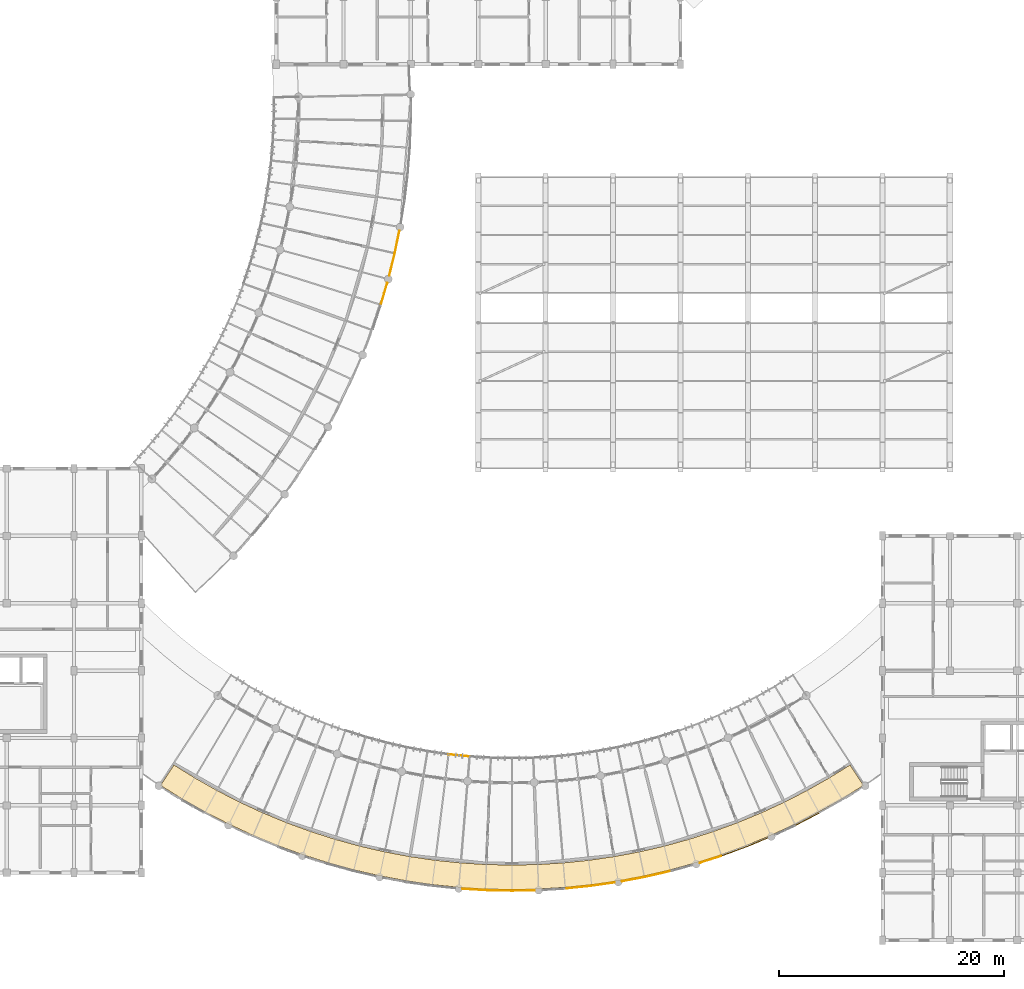
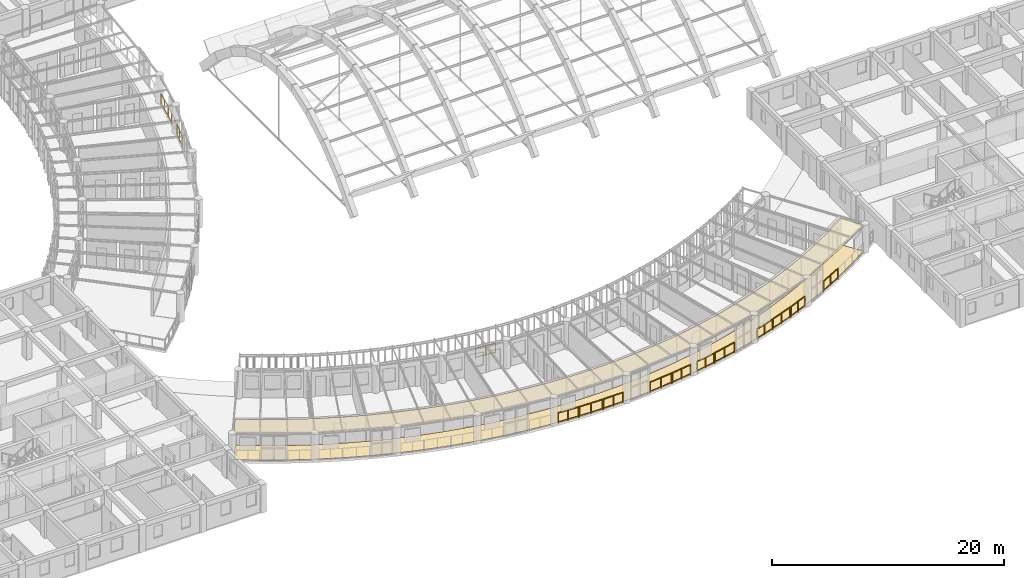
# One storey, part 112 of 123: 15 railings, 2 coverings.
"""IFC4 building model written with IfcOpenShell, lengths in metres."""

from ifc_helpers import new_model, si_unit, direction, frame, origin, origin_2d, place, context, subcontext, project, spatial, polyline, circle, outline, extrude, material, layer, layer_set, type_object, element, save


model = new_model("IFC4")

# Units and contexts
model_context = context("Model", 3, precision=1e-05, world=origin(), true_north=direction((0.0, 1.0)))
body_context = subcontext(model_context, "Body", "Model", "MODEL_VIEW")
ifc_project = project(units=[si_unit("LENGTHUNIT", "METRE"), si_unit("AREAUNIT", "SQUARE_METRE"), si_unit("VOLUMEUNIT", "CUBIC_METRE"), si_unit("PLANEANGLEUNIT", "RADIAN"), si_unit("MASSUNIT", "GRAM", prefix="KILO"), si_unit("POWERUNIT", "WATT"), si_unit("THERMODYNAMICTEMPERATUREUNIT", "KELVIN")], contexts=[model_context])

# Site, building, storey
site_placement = place(None, origin())
site = spatial("IfcSite", under=ifc_project, at=site_placement, CompositionType="ELEMENT")
building_placement = place(site_placement, origin())
building = spatial("IfcBuilding", under=site, at=building_placement, Name="Ruvembo Vaulted Housing Court", CompositionType="ELEMENT")
storey_placement = place(building_placement, frame((0.0, 0.0, 7.699951171875)))
storey = spatial("IfcBuildingStorey", under=building, at=storey_placement, Name="L02", CompositionType="ELEMENT", Elevation=7.699951171875)

# Coverings
ifc_material_1 = material(Name="Perforated Mineral-Fibre Acoustic Tile", Category="gypsum")
ifc_layer_1 = layer(ifc_material_1, 0.02001953125, Name="Perforated Mineral-Fibre Acoustic Tile")
ifc_layer_set_1 = layer_set([ifc_layer_1], Name="Perforated Mineral-Fibre Acoustic Tile")
covering_type_1 = type_object("IfcCoveringType", Name="COV-CEIL-ACOUST", PredefinedType="CEILING", material=ifc_layer_set_1)
covering_1_placement = place(storey_placement, frame((0.0, 0.0, 2.75)))
element("IfcCovering", 1, at=covering_1_placement, inside=storey, type_object=covering_type_1, Name="Scoop SC2 L02 Shaded Access Gallery Ceiling", PredefinedType="CEILING", context=body_context, shape_type="SweptSolid", body=[
    extrude(outline(polyline([(37.705810546875, 13.7763671875), (39.62548828125, 12.5810546875), (41.6884765625, 11.41162109375), (43.798095703125, 10.328369140625), (45.950439453125, 9.3330078125), (48.14208984375, 8.427001953125), (50.369384765625, 7.612548828125), (52.628173828125, 6.890380859375), (54.9150390625, 6.26220703125), (57.2255859375, 5.728759765625), (59.556396484375, 5.291015625), (61.9033203125, 4.94970703125), (64.26220703125, 4.70556640625), (66.62890625, 4.558837890625), (69.0, 4.510009765625), (71.37109375, 4.558837890625), (73.73779296875, 4.70556640625), (76.0966796875, 4.94970703125), (78.443603515625, 5.291015625), (80.7744140625, 5.728759765625), (83.0849609375, 6.26220703125), (85.371826171875, 6.890380859375), (87.630615234375, 7.612548828125), (89.85791015625, 8.427001953125), (92.049560546875, 9.3330078125), (94.201904296875, 10.328369140625), (96.3115234375, 11.41162109375), (98.37451171875, 12.5810546875), (100.294189453125, 13.7763671875), (99.104248046875, 15.602783203125), (97.2626953125, 14.456298828125), (97.2587890625, 14.453857421875), (95.27783203125, 13.3310546875), (95.27392578125, 13.328857421875), (93.248291015625, 12.288818359375), (93.244384765625, 12.286865234375), (91.177490234375, 11.3310546875), (91.17333984375, 11.3291015625), (89.069091796875, 10.45947265625), (89.064697265625, 10.457763671875), (86.92626953125, 9.675537109375), (86.922119140625, 9.674072265625), (84.753173828125, 8.980712890625), (84.748779296875, 8.9794921875), (82.552978515625, 8.376220703125), (82.548583984375, 8.375244140625), (80.330078125, 7.86279296875), (80.32568359375, 7.862060546875), (78.087646484375, 7.441650390625), (78.083251953125, 7.44091796875), (75.829833984375, 7.11328125), (75.825439453125, 7.11279296875), (73.560546875, 6.87841796875), (73.555908203125, 6.8779296875), (71.283203125, 6.737060546875), (71.27880859375, 6.73681640625), (69.002197265625, 6.68994140625), (68.997802734375, 6.68994140625), (66.72119140625, 6.73681640625), (66.716796875, 6.737060546875), (64.444091796875, 6.8779296875), (64.439453125, 6.87841796875), (62.174560546875, 7.11279296875), (62.170166015625, 7.11328125), (59.916748046875, 7.44091796875), (59.912109375, 7.441650390625), (57.67431640625, 7.862060546875), (57.669921875, 7.86279296875), (55.451416015625, 8.375244140625), (55.447021484375, 8.376220703125), (53.251220703125, 8.9794921875), (53.246826171875, 8.980712890625), (51.077880859375, 9.674072265625), (51.07373046875, 9.675537109375), (48.935302734375, 10.457763671875), (48.930908203125, 10.45947265625), (46.82666015625, 11.3291015625), (46.822509765625, 11.3310546875), (44.755615234375, 12.286865234375), (44.751708984375, 12.288818359375), (42.72607421875, 13.328857421875), (42.72216796875, 13.3310546875), (40.7412109375, 14.453857421875), (40.7373046875, 14.456298828125), (38.895751953125, 15.602783203125), (37.705810546875, 13.7763671875)])), origin(), (0.0, 0.0, 1.0), 0.02001953125),
])
ifc_material_2 = material(Name="Polished Cement-Aggregate Terrazzo", Category="stone")
ifc_layer_2 = layer(ifc_material_2, 0.02197265625, Name="Polished Cement-Aggregate Terrazzo")
ifc_layer_set_2 = layer_set([ifc_layer_2], Name="Polished Cement-Aggregate Terrazzo")
covering_type_2 = type_object("IfcCoveringType", Name="COV-FLR-CERAMIC", PredefinedType="FLOORING", material=ifc_layer_set_2)
covering_2_placement = place(storey_placement, origin())
element("IfcCovering", 2, at=covering_2_placement, inside=storey, type_object=covering_type_2, Name="Scoop SC2 L02 Shaded Access Gallery Flooring", PredefinedType="FLOORING", context=body_context, shape_type="SweptSolid", body=[
    extrude(outline(polyline([(37.705810546875, 13.7763671875), (39.62548828125, 12.5810546875), (41.6884765625, 11.41162109375), (43.798095703125, 10.328369140625), (45.950439453125, 9.3330078125), (48.14208984375, 8.427001953125), (50.369384765625, 7.612548828125), (52.628173828125, 6.890380859375), (54.9150390625, 6.26220703125), (57.2255859375, 5.728759765625), (59.556396484375, 5.291015625), (61.9033203125, 4.94970703125), (64.26220703125, 4.70556640625), (66.62890625, 4.558837890625), (69.0, 4.510009765625), (71.37109375, 4.558837890625), (73.73779296875, 4.70556640625), (76.0966796875, 4.94970703125), (78.443603515625, 5.291015625), (80.7744140625, 5.728759765625), (83.0849609375, 6.26220703125), (85.371826171875, 6.890380859375), (87.630615234375, 7.612548828125), (89.85791015625, 8.427001953125), (92.049560546875, 9.3330078125), (94.201904296875, 10.328369140625), (96.3115234375, 11.41162109375), (98.37451171875, 12.5810546875), (100.294189453125, 13.7763671875), (99.104248046875, 15.602783203125), (97.2626953125, 14.456298828125), (97.2587890625, 14.453857421875), (95.27783203125, 13.3310546875), (95.27392578125, 13.328857421875), (93.248291015625, 12.288818359375), (93.244384765625, 12.286865234375), (91.177490234375, 11.3310546875), (91.17333984375, 11.3291015625), (89.069091796875, 10.45947265625), (89.064697265625, 10.457763671875), (86.92626953125, 9.675537109375), (86.922119140625, 9.674072265625), (84.753173828125, 8.980712890625), (84.748779296875, 8.9794921875), (82.552978515625, 8.376220703125), (82.548583984375, 8.375244140625), (80.330078125, 7.86279296875), (80.32568359375, 7.862060546875), (78.087646484375, 7.441650390625), (78.083251953125, 7.44091796875), (75.829833984375, 7.11328125), (75.825439453125, 7.11279296875), (73.560546875, 6.87841796875), (73.555908203125, 6.8779296875), (71.283203125, 6.737060546875), (71.27880859375, 6.73681640625), (69.002197265625, 6.68994140625), (68.997802734375, 6.68994140625), (66.72119140625, 6.73681640625), (66.716796875, 6.737060546875), (64.444091796875, 6.8779296875), (64.439453125, 6.87841796875), (62.174560546875, 7.11279296875), (62.170166015625, 7.11328125), (59.916748046875, 7.44091796875), (59.912109375, 7.441650390625), (57.67431640625, 7.862060546875), (57.669921875, 7.86279296875), (55.451416015625, 8.375244140625), (55.447021484375, 8.376220703125), (53.251220703125, 8.9794921875), (53.246826171875, 8.980712890625), (51.077880859375, 9.674072265625), (51.07373046875, 9.675537109375), (48.935302734375, 10.457763671875), (48.930908203125, 10.45947265625), (46.82666015625, 11.3291015625), (46.822509765625, 11.3310546875), (44.755615234375, 12.286865234375), (44.751708984375, 12.288818359375), (42.72607421875, 13.328857421875), (42.72216796875, 13.3310546875), (40.7412109375, 14.453857421875), (40.7373046875, 14.456298828125), (38.895751953125, 15.602783203125), (37.705810546875, 13.7763671875)])), origin(), (0.0, 0.0, 1.0), 0.02197265625),
])

# Railings
ifc_material_3 = material(Name="Galvanised Painted Steel and Laminated Glass", Category="steel")
ifc_layer_3 = layer(ifc_material_3, 0.070068359375, Name="Galvanised Painted Steel and Laminated Glass")
ifc_layer_set_3 = layer_set([ifc_layer_3], Name="Galvanised Painted Steel and Laminated Glass")
railing_type_1 = type_object("IfcRailingType", Name="RL-BALUST-1120", PredefinedType="BALUSTRADE", material=ifc_layer_set_3)
railing_1_placement = place(storey_placement, frame((57.336181640625, 56.628173828125, 0.0)))
element("IfcRailing", 3, at=railing_1_placement, inside=storey, type_object=railing_type_1, Name="L02 Perimeter Guard RL-EXT-L02-0081", PredefinedType="BALUSTRADE", context=body_context, shape_type="SweptSolid", body=[
    extrude(circle(Radius=0.02392578125, at=origin_2d()), frame((0.0, 0.0, 1.09619140625), z_axis=(0.280768323673, 0.959775571903, 0.0), x_axis=(-0.959775571903, 0.280768323673, 0.0)), (0.0, 0.0, 1.0), 1.9765625),
    extrude(circle(Radius=0.01806640625, at=origin_2d()), frame((0.0, 0.0, 0.1201171875), z_axis=(0.280768323673, 0.959775571903, 0.0), x_axis=(-0.959775571903, 0.280768323673, 0.0)), (0.0, 0.0, 1.0), 1.9765625),
    extrude(circle(Radius=0.02099609375, at=origin_2d()), origin(), (0.0, 0.0, 1.0), 1.072021484375),
    extrude(circle(Radius=0.02099609375, at=origin_2d()), frame((0.27734375, 0.948486328125, 0.0)), (0.0, 0.0, 1.0), 1.072021484375),
    extrude(circle(Radius=0.02099609375, at=origin_2d()), frame((0.554931640625, 1.89697265625, 0.0)), (0.0, 0.0, 1.0), 1.072021484375),
])
railing_2_placement = place(storey_placement, frame((58.07373046875, 59.20068359375, 0.0)))
element("IfcRailing", 4, at=railing_2_placement, inside=storey, type_object=railing_type_1, Name="L02 Perimeter Guard RL-EXT-L02-0082", PredefinedType="BALUSTRADE", context=body_context, shape_type="SweptSolid", body=[
    extrude(circle(Radius=0.02392578125, at=origin_2d()), frame((0.0, 0.0, 1.09619140625), z_axis=(0.241227583656, 0.970468573877, 0.0), x_axis=(-0.970468573877, 0.241227583656, 0.0)), (0.0, 0.0, 1.0), 1.9765625),
    extrude(circle(Radius=0.01806640625, at=origin_2d()), frame((0.0, 0.0, 0.1201171875), z_axis=(0.241227583656, 0.970468573877, 0.0), x_axis=(-0.970468573877, 0.241227583656, 0.0)), (0.0, 0.0, 1.0), 1.9765625),
    extrude(circle(Radius=0.02099609375, at=origin_2d()), origin(), (0.0, 0.0, 1.0), 1.072021484375),
    extrude(circle(Radius=0.02099609375, at=origin_2d()), frame((0.23828125, 0.958984375, 0.0)), (0.0, 0.0, 1.0), 1.072021484375),
    extrude(circle(Radius=0.02099609375, at=origin_2d()), frame((0.476806640625, 1.918212890625, 0.0)), (0.0, 0.0, 1.0), 1.072021484375),
])
railing_3_placement = place(storey_placement, frame((58.57275390625, 61.21630859375, 0.0)))
element("IfcRailing", 5, at=railing_3_placement, inside=storey, type_object=railing_type_1, Name="L02 Perimeter Guard RL-EXT-L02-0083", PredefinedType="BALUSTRADE", context=body_context, shape_type="SweptSolid", body=[
    extrude(circle(Radius=0.02392578125, at=origin_2d()), frame((0.0, 0.0, 1.09619140625), z_axis=(0.201196376215, 0.979550926802, 0.0), x_axis=(-0.979550926802, 0.201196376215, 0.0)), (0.0, 0.0, 1.0), 1.976806640625),
    extrude(circle(Radius=0.01806640625, at=origin_2d()), frame((0.0, 0.0, 0.1201171875), z_axis=(0.201196376215, 0.979550926802, 0.0), x_axis=(-0.979550926802, 0.201196376215, 0.0)), (0.0, 0.0, 1.0), 1.976806640625),
    extrude(circle(Radius=0.02099609375, at=origin_2d()), origin(), (0.0, 0.0, 1.0), 1.072021484375),
    extrude(circle(Radius=0.02099609375, at=origin_2d()), frame((0.19873046875, 0.96826171875, 0.0)), (0.0, 0.0, 1.0), 1.072021484375),
    extrude(circle(Radius=0.02099609375, at=origin_2d()), frame((0.397705078125, 1.936279296875, 0.0)), (0.0, 0.0, 1.0), 1.072021484375),
])
railing_4_placement = place(storey_placement, frame((64.602294921875, 4.57421875, 0.0)))
element("IfcRailing", 6, at=railing_4_placement, inside=storey, type_object=railing_type_1, Name="L02 Perimeter Guard RL-EXT-L02-0327", PredefinedType="BALUSTRADE", context=body_context, shape_type="SweptSolid", body=[
    extrude(circle(Radius=0.02392578125, at=origin_2d()), frame((0.0, 0.0, 1.09619140625), z_axis=(0.998090369265, -0.061770662784, 0.0), x_axis=(0.061770662784, 0.998090369265, 0.0)), (0.0, 0.0, 1.0), 1.97607421875),
    extrude(circle(Radius=0.01806640625, at=origin_2d()), frame((0.0, 0.0, 0.1201171875), z_axis=(0.998090369265, -0.061770662784, 0.0), x_axis=(0.061770662784, 0.998090369265, 0.0)), (0.0, 0.0, 1.0), 1.97607421875),
    extrude(circle(Radius=0.02099609375, at=origin_2d()), origin(), (0.0, 0.0, 1.0), 1.072021484375),
    extrude(circle(Radius=0.02099609375, at=origin_2d()), frame((0.986328125, -0.06103515625, 0.0)), (0.0, 0.0, 1.0), 1.072021484375),
    extrude(circle(Radius=0.02099609375, at=origin_2d()), frame((1.972412109375, -0.1220703125, 0.0)), (0.0, 0.0, 1.0), 1.072021484375),
])
railing_5_placement = place(storey_placement, frame((66.674560546875, 4.447998046875, 0.0)))
element("IfcRailing", 7, at=railing_5_placement, inside=storey, type_object=railing_type_1, Name="L02 Perimeter Guard RL-EXT-L02-0328", PredefinedType="BALUSTRADE", context=body_context, shape_type="SweptSolid", body=[
    extrude(circle(Radius=0.02392578125, at=origin_2d()), frame((0.0, 0.0, 1.09619140625), z_axis=(0.999785655104, -0.020703715819, 0.0), x_axis=(0.020703715819, 0.999785655104, 0.0)), (0.0, 0.0, 1.0), 2.27587890625),
    extrude(circle(Radius=0.01806640625, at=origin_2d()), frame((0.0, 0.0, 0.1201171875), z_axis=(0.999785655104, -0.020703715819, 0.0), x_axis=(0.020703715819, 0.999785655104, 0.0)), (0.0, 0.0, 1.0), 2.27587890625),
    extrude(circle(Radius=0.02099609375, at=origin_2d()), origin(), (0.0, 0.0, 1.0), 1.072021484375),
    extrude(circle(Radius=0.02099609375, at=origin_2d()), frame((1.1376953125, -0.0234375, 0.0)), (0.0, 0.0, 1.0), 1.072021484375),
    extrude(circle(Radius=0.02099609375, at=origin_2d()), frame((2.275390625, -0.047119140625, 0.0)), (0.0, 0.0, 1.0), 1.072021484375),
])
railing_6_placement = place(storey_placement, frame((69.050048828125, 4.40087890625, 0.0)))
element("IfcRailing", 8, at=railing_6_placement, inside=storey, type_object=railing_type_1, Name="L02 Perimeter Guard RL-EXT-L02-0329", PredefinedType="BALUSTRADE", context=body_context, shape_type="SweptSolid", body=[
    extrude(circle(Radius=0.02392578125, at=origin_2d()), frame((0.0, 0.0, 1.09619140625), z_axis=(0.999784554984, 0.020756772768, 0.0), x_axis=(-0.020756772768, 0.999784554984, 0.0)), (0.0, 0.0, 1.0), 1.97607421875),
    extrude(circle(Radius=0.01806640625, at=origin_2d()), frame((0.0, 0.0, 0.1201171875), z_axis=(0.999784554984, 0.020756772768, 0.0), x_axis=(-0.020756772768, 0.999784554984, 0.0)), (0.0, 0.0, 1.0), 1.97607421875),
    extrude(circle(Radius=0.02099609375, at=origin_2d()), origin(), (0.0, 0.0, 1.0), 1.072021484375),
    extrude(circle(Radius=0.02099609375, at=origin_2d()), frame((0.98779296875, 0.0205078125, 0.0)), (0.0, 0.0, 1.0), 1.072021484375),
    extrude(circle(Radius=0.02099609375, at=origin_2d()), frame((1.9755859375, 0.041015625, 0.0)), (0.0, 0.0, 1.0), 1.072021484375),
])
railing_7_placement = place(storey_placement, frame((73.796630859375, 4.60107421875, 0.0)))
element("IfcRailing", 9, at=railing_7_placement, inside=storey, type_object=railing_type_1, Name="L02 Perimeter Guard RL-EXT-L02-0330", PredefinedType="BALUSTRADE", context=body_context, shape_type="SweptSolid", body=[
    extrude(circle(Radius=0.02392578125, at=origin_2d()), frame((0.0, 0.0, 1.09619140625), z_axis=(0.994684977784, 0.102965018188, 0.0), x_axis=(-0.102965018188, 0.994684977784, 0.0)), (0.0, 0.0, 1.0), 2.2763671875),
    extrude(circle(Radius=0.01806640625, at=origin_2d()), frame((0.0, 0.0, 0.1201171875), z_axis=(0.994684977784, 0.102965018188, 0.0), x_axis=(-0.102965018188, 0.994684977784, 0.0)), (0.0, 0.0, 1.0), 2.2763671875),
    extrude(circle(Radius=0.02099609375, at=origin_2d()), origin(), (0.0, 0.0, 1.0), 1.072021484375),
    extrude(circle(Radius=0.02099609375, at=origin_2d()), frame((1.132080078125, 0.1171875, 0.0)), (0.0, 0.0, 1.0), 1.072021484375),
    extrude(circle(Radius=0.02099609375, at=origin_2d()), frame((2.26416015625, 0.234375, 0.0)), (0.0, 0.0, 1.0), 1.072021484375),
])
railing_8_placement = place(storey_placement, frame((76.159912109375, 4.847900390625, 0.0)))
element("IfcRailing", 10, at=railing_8_placement, inside=storey, type_object=railing_type_1, Name="L02 Perimeter Guard RL-EXT-L02-0331", PredefinedType="BALUSTRADE", context=body_context, shape_type="SweptSolid", body=[
    extrude(circle(Radius=0.02392578125, at=origin_2d()), frame((0.0, 0.0, 1.09619140625), z_axis=(0.989603072857, 0.143825443477, 0.0), x_axis=(-0.143825443477, 0.989603072857, 0.0)), (0.0, 0.0, 1.0), 1.975830078125),
    extrude(circle(Radius=0.01806640625, at=origin_2d()), frame((0.0, 0.0, 0.1201171875), z_axis=(0.989603072857, 0.143825443477, 0.0), x_axis=(-0.143825443477, 0.989603072857, 0.0)), (0.0, 0.0, 1.0), 1.975830078125),
    extrude(circle(Radius=0.02099609375, at=origin_2d()), origin(), (0.0, 0.0, 1.0), 1.072021484375),
    extrude(circle(Radius=0.02099609375, at=origin_2d()), frame((0.9775390625, 0.14208984375, 0.0)), (0.0, 0.0, 1.0), 1.072021484375),
    extrude(circle(Radius=0.02099609375, at=origin_2d()), frame((1.955322265625, 0.2841796875, 0.0)), (0.0, 0.0, 1.0), 1.072021484375),
])
railing_9_placement = place(storey_placement, frame((78.8056640625, 5.2470703125, 0.0)))
element("IfcRailing", 11, at=railing_9_placement, inside=storey, type_object=railing_type_1, Name="L02 Perimeter Guard RL-EXT-L02-0332", PredefinedType="BALUSTRADE", context=body_context, shape_type="SweptSolid", body=[
    extrude(circle(Radius=0.02392578125, at=origin_2d()), frame((0.0, 0.0, 1.09619140625), z_axis=(0.982817596647, 0.184579445555, 0.0), x_axis=(-0.184579445555, 0.982817596647, 0.0)), (0.0, 0.0, 1.0), 1.97607421875),
    extrude(circle(Radius=0.01806640625, at=origin_2d()), frame((0.0, 0.0, 0.1201171875), z_axis=(0.982817596647, 0.184579445555, 0.0), x_axis=(-0.184579445555, 0.982817596647, 0.0)), (0.0, 0.0, 1.0), 1.97607421875),
    extrude(circle(Radius=0.02099609375, at=origin_2d()), origin(), (0.0, 0.0, 1.0), 1.072021484375),
    extrude(circle(Radius=0.02099609375, at=origin_2d()), frame((0.97119140625, 0.182373046875, 0.0)), (0.0, 0.0, 1.0), 1.072021484375),
    extrude(circle(Radius=0.02099609375, at=origin_2d()), frame((1.942138671875, 0.36474609375, 0.0)), (0.0, 0.0, 1.0), 1.072021484375),
])
railing_10_placement = place(storey_placement, frame((80.845703125, 5.632080078125, 0.0)))
element("IfcRailing", 12, at=railing_10_placement, inside=storey, type_object=railing_type_1, Name="L02 Perimeter Guard RL-EXT-L02-0333", PredefinedType="BALUSTRADE", context=body_context, shape_type="SweptSolid", body=[
    extrude(circle(Radius=0.02392578125, at=origin_2d()), frame((0.0, 0.0, 1.09619140625), z_axis=(0.974345977393, 0.225055362828, 0.0), x_axis=(-0.225055362828, 0.974345977393, 0.0)), (0.0, 0.0, 1.0), 2.27587890625),
    extrude(circle(Radius=0.01806640625, at=origin_2d()), frame((0.0, 0.0, 0.1201171875), z_axis=(0.974345977393, 0.225055362828, 0.0), x_axis=(-0.225055362828, 0.974345977393, 0.0)), (0.0, 0.0, 1.0), 2.27587890625),
    extrude(circle(Radius=0.02099609375, at=origin_2d()), origin(), (0.0, 0.0, 1.0), 1.072021484375),
    extrude(circle(Radius=0.02099609375, at=origin_2d()), frame((1.10888671875, 0.256103515625, 0.0)), (0.0, 0.0, 1.0), 1.072021484375),
    extrude(circle(Radius=0.02099609375, at=origin_2d()), frame((2.217529296875, 0.51220703125, 0.0)), (0.0, 0.0, 1.0), 1.072021484375),
])
railing_11_placement = place(storey_placement, frame((85.736572265625, 6.8916015625, 0.0)))
element("IfcRailing", 13, at=railing_11_placement, inside=storey, type_object=railing_type_1, Name="L02 Perimeter Guard RL-EXT-L02-0334", PredefinedType="BALUSTRADE", context=body_context, shape_type="SweptSolid", body=[
    extrude(circle(Radius=0.02392578125, at=origin_2d()), frame((0.0, 0.0, 1.09619140625), z_axis=(0.952527388303, 0.304452910206, 0.0), x_axis=(-0.304452910206, 0.952527388303, 0.0)), (0.0, 0.0, 1.0), 1.975830078125),
    extrude(circle(Radius=0.01806640625, at=origin_2d()), frame((0.0, 0.0, 0.1201171875), z_axis=(0.952527388303, 0.304452910206, 0.0), x_axis=(-0.304452910206, 0.952527388303, 0.0)), (0.0, 0.0, 1.0), 1.975830078125),
    extrude(circle(Radius=0.02099609375, at=origin_2d()), origin(), (0.0, 0.0, 1.0), 1.072021484375),
    extrude(circle(Radius=0.02099609375, at=origin_2d()), frame((0.94091796875, 0.30078125, 0.0)), (0.0, 0.0, 1.0), 1.072021484375),
    extrude(circle(Radius=0.02099609375, at=origin_2d()), frame((1.882080078125, 0.6015625, 0.0)), (0.0, 0.0, 1.0), 1.072021484375),
])
railing_12_placement = place(storey_placement, frame((87.71337890625, 7.525634765625, 0.0)))
element("IfcRailing", 14, at=railing_12_placement, inside=storey, type_object=railing_type_1, Name="L02 Perimeter Guard RL-EXT-L02-0335", PredefinedType="BALUSTRADE", context=body_context, shape_type="SweptSolid", body=[
    extrude(circle(Radius=0.02392578125, at=origin_2d()), frame((0.0, 0.0, 1.09619140625), z_axis=(0.939146490209, 0.343516913599, 0.0), x_axis=(-0.343516913599, 0.939146490209, 0.0)), (0.0, 0.0, 1.0), 2.275634765625),
    extrude(circle(Radius=0.01806640625, at=origin_2d()), frame((0.0, 0.0, 0.1201171875), z_axis=(0.939146490209, 0.343516913599, 0.0), x_axis=(-0.343516913599, 0.939146490209, 0.0)), (0.0, 0.0, 1.0), 2.275634765625),
    extrude(circle(Radius=0.02099609375, at=origin_2d()), origin(), (0.0, 0.0, 1.0), 1.072021484375),
    extrude(circle(Radius=0.02099609375, at=origin_2d()), frame((1.068603515625, 0.390869140625, 0.0)), (0.0, 0.0, 1.0), 1.072021484375),
    extrude(circle(Radius=0.02099609375, at=origin_2d()), frame((2.13720703125, 0.78173828125, 0.0)), (0.0, 0.0, 1.0), 1.072021484375),
])
railing_13_placement = place(storey_placement, frame((89.94384765625, 8.34375, 0.0)))
element("IfcRailing", 15, at=railing_13_placement, inside=storey, type_object=railing_type_1, Name="L02 Perimeter Guard RL-EXT-L02-0336", PredefinedType="BALUSTRADE", context=body_context, shape_type="SweptSolid", body=[
    extrude(circle(Radius=0.02392578125, at=origin_2d()), frame((0.0, 0.0, 1.09619140625), z_axis=(0.924198862924, 0.381911588944, 0.0), x_axis=(-0.381911588944, 0.924198862924, 0.0)), (0.0, 0.0, 1.0), 1.975830078125),
    extrude(circle(Radius=0.01806640625, at=origin_2d()), frame((0.0, 0.0, 0.1201171875), z_axis=(0.924198862924, 0.381911588944, 0.0), x_axis=(-0.381911588944, 0.924198862924, 0.0)), (0.0, 0.0, 1.0), 1.975830078125),
    extrude(circle(Radius=0.02099609375, at=origin_2d()), origin(), (0.0, 0.0, 1.0), 1.072021484375),
    extrude(circle(Radius=0.02099609375, at=origin_2d()), frame((0.9130859375, 0.37744140625, 0.0)), (0.0, 0.0, 1.0), 1.072021484375),
    extrude(circle(Radius=0.02099609375, at=origin_2d()), frame((1.826171875, 0.754638671875, 0.0)), (0.0, 0.0, 1.0), 1.072021484375),
])
railing_14_placement = place(storey_placement, frame((94.294677734375, 10.252197265625, 0.0)))
element("IfcRailing", 16, at=railing_14_placement, inside=storey, type_object=railing_type_1, Name="L02 Perimeter Guard RL-EXT-L02-0337", PredefinedType="BALUSTRADE", context=body_context, shape_type="SweptSolid", body=[
    extrude(circle(Radius=0.02392578125, at=origin_2d()), frame((0.0, 0.0, 1.09619140625), z_axis=(0.889548168518, 0.456841390295, 0.0), x_axis=(-0.456841390295, 0.889548168518, 0.0)), (0.0, 0.0, 1.0), 2.276123046875),
    extrude(circle(Radius=0.01806640625, at=origin_2d()), frame((0.0, 0.0, 0.1201171875), z_axis=(0.889548168518, 0.456841390295, 0.0), x_axis=(-0.456841390295, 0.889548168518, 0.0)), (0.0, 0.0, 1.0), 2.276123046875),
    extrude(circle(Radius=0.02099609375, at=origin_2d()), origin(), (0.0, 0.0, 1.0), 1.072021484375),
    extrude(circle(Radius=0.02099609375, at=origin_2d()), frame((1.01220703125, 0.52001953125, 0.0)), (0.0, 0.0, 1.0), 1.072021484375),
    extrude(circle(Radius=0.02099609375, at=origin_2d()), frame((2.024658203125, 1.039794921875, 0.0)), (0.0, 0.0, 1.0), 1.072021484375),
])
ifc_material_4 = material(Name="Galvanised Painted Steel S275", Category="steel")
ifc_layer_4 = layer(ifc_material_4, 0.06005859375, Name="Galvanised Painted Steel S275")
ifc_layer_set_4 = layer_set([ifc_layer_4], Name="Galvanised Painted Steel S275")
railing_type_2 = type_object("IfcRailingType", Name="RL-GUARD-1100", PredefinedType="GUARDRAIL", material=ifc_layer_set_4)
railing_15_placement = place(storey_placement, frame((63.34619140625, 16.55029296875, 0.0)))
element("IfcRailing", 17, at=railing_15_placement, inside=storey, type_object=railing_type_2, Name="L02 Perimeter Guard RL-EXT-L02-0300", PredefinedType="GUARDRAIL", context=body_context, shape_type="SweptSolid", body=[
    extrude(circle(Radius=0.02392578125, at=origin_2d()), frame((0.0, 0.0, 1.076171875), z_axis=(0.994683125416, -0.10298291127, 0.0), x_axis=(0.10298291127, 0.994683125416, 0.0)), (0.0, 0.0, 1.0), 1.889404296875),
    extrude(circle(Radius=0.01806640625, at=origin_2d()), frame((0.0, 0.0, 0.1201171875), z_axis=(0.994683125416, -0.10298291127, 0.0), x_axis=(0.10298291127, 0.994683125416, 0.0)), (0.0, 0.0, 1.0), 1.889404296875),
    extrude(circle(Radius=0.02099609375, at=origin_2d()), origin(), (0.0, 0.0, 1.0), 1.052001953125),
    extrude(circle(Radius=0.02099609375, at=origin_2d()), frame((0.939697265625, -0.09716796875, 0.0)), (0.0, 0.0, 1.0), 1.052001953125),
    extrude(circle(Radius=0.02099609375, at=origin_2d()), frame((1.87939453125, -0.194580078125, 0.0)), (0.0, 0.0, 1.0), 1.052001953125),
])

save(model, "model.ifc")
